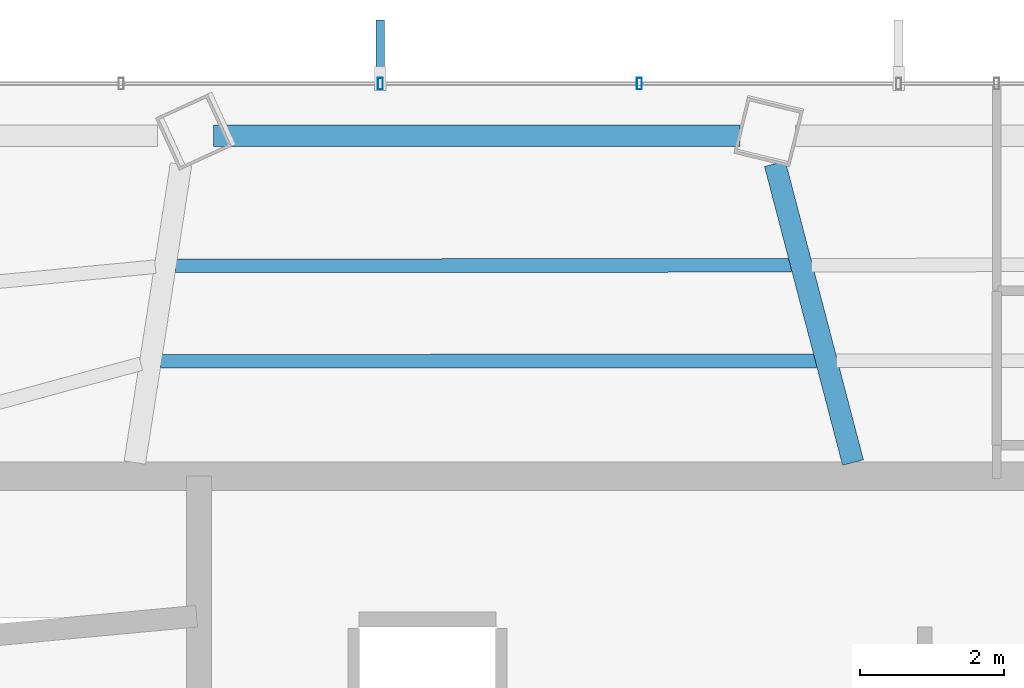
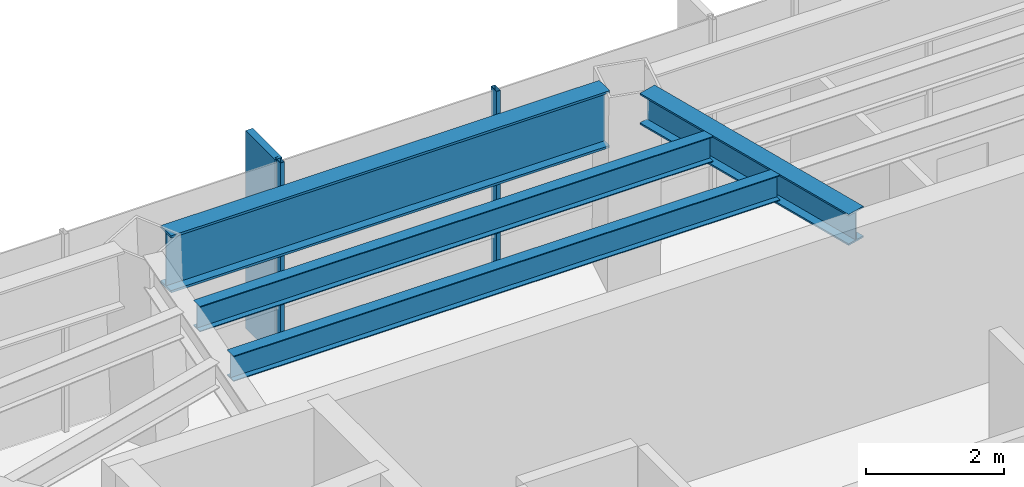
# One storey, part 15 of 30: 4 beams, 3 members, 1 element without a shape of its own.
"""IFC4 building model written with IfcOpenShell, lengths in metres."""

from ifc_helpers import new_model, si_unit, direction, frame, origin, origin_2d, place, context, subcontext, project, spatial, rectangle, hollow_rectangle, i_section, extrude, material, layer, layer_set, material_profile, profile_set, type_object, element, aggregate, save


model = new_model("IFC4")

# Units and contexts
model_context = context("Model", 3, precision=1e-05, world=origin(), true_north=direction((0.0, 1.0)))
body_context = subcontext(model_context, "Body", "Model", "MODEL_VIEW")
ifc_project = project(units=[si_unit("LENGTHUNIT", "METRE"), si_unit("AREAUNIT", "SQUARE_METRE"), si_unit("VOLUMEUNIT", "CUBIC_METRE"), si_unit("PLANEANGLEUNIT", "RADIAN"), si_unit("MASSUNIT", "GRAM", prefix="KILO")], contexts=[model_context])

# Site, building, storey
site_placement = place(None, origin())
site = spatial("IfcSite", under=ifc_project, at=site_placement, CompositionType="ELEMENT")
building_placement = place(site_placement, origin())
building = spatial("IfcBuilding", under=site, at=building_placement, Name="Zarrinselat Tower", CompositionType="ELEMENT")
storey_placement = place(building_placement, frame((0.0, 0.0, 160.820068359375)))
storey = spatial("IfcBuildingStorey", under=building, at=storey_placement, Name="L39", CompositionType="ELEMENT", Elevation=160.820068359375)

# Beams
ifc_material_1 = material(Name="Steel S355J2", Category="steel")
ifc_material_profile_1 = material_profile(ifc_material_1, i_section(OverallWidth=0.300048828125, OverallDepth=0.550048828125, WebThickness=0.014892578125, FlangeThickness=0.029052734375, at=origin_2d()), Name="HEB 550")
ifc_profile_set_1 = profile_set([ifc_material_profile_1], Name="Steel S355J2")
beam_type_1 = type_object("IfcBeamType", Name="BM-HEB550", PredefinedType="BEAM", material=ifc_profile_set_1)
beam_1_placement = place(storey_placement, frame((39.912841796875, 47.800048828125, 3.224853515625), z_axis=(0.252835604971, -0.967509254146, 0.0), x_axis=(0.967509254146, 0.252835604971, 0.0)))
element("IfcBeam", 1, at=beam_1_placement, inside=storey, type_object=beam_type_1, Name="L39 Radial Primary Girder RG03", PredefinedType="BEAM", context=body_context, shape_type="SweptSolid", body=[
    extrude(i_section(OverallWidth=0.300048828125, OverallDepth=0.550048828125, WebThickness=0.014892578125, FlangeThickness=0.029052734375, at=origin_2d()), origin(), (0.0, 0.0, 1.0), 4.2998046875),
])
ifc_material_2 = material(Name="Steel S460M", Category="steel")
ifc_material_profile_2 = material_profile(ifc_material_2, i_section(OverallWidth=0.302001953125, OverallDepth=1.008056640625, WebThickness=0.02099609375, FlangeThickness=0.0400390625, at=origin_2d()), Name="HEM 1000")
ifc_profile_set_2 = profile_set([ifc_material_profile_2], Name="Steel S460M")
beam_type_2 = type_object("IfcBeamType", Name="BM-HEM1000", PredefinedType="BEAM", material=ifc_profile_set_2)
beam_2_placement = place(storey_placement, frame((32.0927734375, 48.18896484375, 2.995849609375), z_axis=(1.0, 0.0, 0.0), x_axis=(0.0, 1.0, 0.0)))
element("IfcBeam", 2, at=beam_2_placement, inside=storey, type_object=beam_type_2, Name="L39 Perimeter Spandrel Girder SP03", PredefinedType="BEAM", context=body_context, shape_type="SweptSolid", body=[
    extrude(i_section(OverallWidth=0.302001953125, OverallDepth=1.008056640625, WebThickness=0.02099609375, FlangeThickness=0.0400390625, at=origin_2d()), origin(), (0.0, 0.0, 1.0), 7.330322265625),
])
ifc_material_3 = material(Name="Steel S355J2", Category="steel")
ifc_material_profile_3 = material_profile(ifc_material_3, i_section(OverallWidth=0.18994140625, OverallDepth=0.449951171875, WebThickness=0.009521484375, FlangeThickness=0.0146484375, at=origin_2d()), Name="IPE 450")
ifc_profile_set_3 = profile_set([ifc_material_profile_3], Name="Steel S355J2")
beam_type_3 = type_object("IfcBeamType", Name="BM-IPE450", PredefinedType="JOIST", material=ifc_profile_set_3)
beam_3_placement = place(storey_placement, frame((31.564453125, 46.380126953125, 3.27490234375), z_axis=(0.999999803964, 0.000626156132, 0.0), x_axis=(-0.000626156132, 0.999999803964, 0.0)))
element("IfcBeam", 3, at=beam_3_placement, inside=storey, type_object=beam_type_3, Name="L39 Composite Floor Joist 8-1", PredefinedType="JOIST", context=body_context, shape_type="SweptSolid", body=[
    extrude(i_section(OverallWidth=0.18994140625, OverallDepth=0.449951171875, WebThickness=0.009521484375, FlangeThickness=0.0146484375, at=origin_2d()), origin(), (0.0, 0.0, 1.0), 8.577880859375),
])
beam_4_placement = place(storey_placement, frame((31.358642578125, 45.051513671875, 3.27490234375), z_axis=(0.999999948537, 0.000320821286, 0.0), x_axis=(-0.000320821286, 0.999999948537, 0.0)))
element("IfcBeam", 4, at=beam_4_placement, inside=storey, type_object=beam_type_3, Name="L39 Composite Floor Joist 8-2", PredefinedType="JOIST", context=body_context, shape_type="SweptSolid", body=[
    extrude(i_section(OverallWidth=0.18994140625, OverallDepth=0.449951171875, WebThickness=0.009521484375, FlangeThickness=0.0146484375, at=origin_2d()), origin(), (0.0, 0.0, 1.0), 9.1318359375),
])

# Curtain wall, members
ifc_material_4 = material(Name="Extruded Aluminium Alloy EN AW-6063 T6", Category="aluminium")
ifc_layer = layer(ifc_material_4, 0.175048828125)
ifc_layer_set = layer_set([ifc_layer], Name="Extruded Aluminium Alloy EN AW-6063 T6")
curtain_wall_type = type_object("IfcCurtainWallType", Name="CWS-HTL", PredefinedType="NOTDEFINED", material=ifc_layer_set)
curtain_wall_placement = place(storey_placement, origin())
curtain_wall = element("IfcCurtainWall", 5, at=curtain_wall_placement, inside=storey, type_object=curtain_wall_type, Name="L39 Unitised Curtain Wall CW-L39-E03", PredefinedType="NOTDEFINED")
ifc_material_5 = material(Name="Extruded Aluminium Alloy EN AW-6063 T6", Category="aluminium")
ifc_material_profile_4 = material_profile(ifc_material_5, hollow_rectangle(XDim=0.070068359375, YDim=0.159912109375, WallThickness=0.00390625, at=origin_2d()), Name="RHS 160x70x4")
ifc_profile_set_4 = profile_set([ifc_material_profile_4], Name="Extruded Aluminium Alloy EN AW-6063 T6")
member_type_1 = type_object("IfcMemberType", Name="MEM-CW-MUL2", PredefinedType="MULLION", material=ifc_profile_set_4)
member_1_placement = place(storey_placement, frame((34.41845703125, 48.916748046875, 0.0), z_axis=(0.0, 0.0, 1.0), x_axis=(1.0, 0.0, 0.0)))
member_1 = element("IfcMember", 6, at=member_1_placement, type_object=member_type_1, Name="CW-L39-E03 Mullion 3", PredefinedType="MULLION", context=body_context, shape_type="SweptSolid", body=[
    extrude(hollow_rectangle(XDim=0.070068359375, YDim=0.159912109375, WallThickness=0.00390625, at=origin_2d()), origin(), (0.0, 0.0, 1.0), 3.5),
])
member_2_placement = place(storey_placement, frame((38.026123046875, 48.916748046875, 0.0), z_axis=(0.0, 0.0, 1.0), x_axis=(1.0, 0.0, 0.0)))
member_2 = element("IfcMember", 7, at=member_2_placement, type_object=member_type_1, Name="CW-L39-E03 Mullion 4", PredefinedType="MULLION", context=body_context, shape_type="SweptSolid", body=[
    extrude(hollow_rectangle(XDim=0.070068359375, YDim=0.159912109375, WallThickness=0.00390625, at=origin_2d()), origin(), (0.0, 0.0, 1.0), 3.5),
])
ifc_material_6 = material(Name="Honed Cream Travertine Stone", Category="masonry")
ifc_material_profile_5 = material_profile(ifc_material_6, rectangle(XDim=0.1201171875, YDim=0.85009765625, at=origin_2d()), Name="FIN 850x120")
ifc_profile_set_5 = profile_set([ifc_material_profile_5], Name="Honed Cream Travertine Stone")
member_type_2 = type_object("IfcMemberType", Name="MEM-STONE-FIN", PredefinedType="USERDEFINED", material=ifc_profile_set_5)
member_3_placement = place(storey_placement, frame((34.41845703125, 49.376708984375, 0.0), z_axis=(0.0, 0.0, 1.0), x_axis=(1.0, 0.0, 0.0)))
member_3 = element("IfcMember", 8, at=member_3_placement, type_object=member_type_2, Name="L39 Stone Shading Fin CW-L39-E03-03", ObjectType="FIN", PredefinedType="USERDEFINED", context=body_context, shape_type="SweptSolid", body=[
    extrude(rectangle(XDim=0.1201171875, YDim=0.85009765625, at=origin_2d()), origin(), (0.0, 0.0, 1.0), 3.5),
])
aggregate(curtain_wall, [member_1, member_3, member_2])

save(model, "model.ifc")
